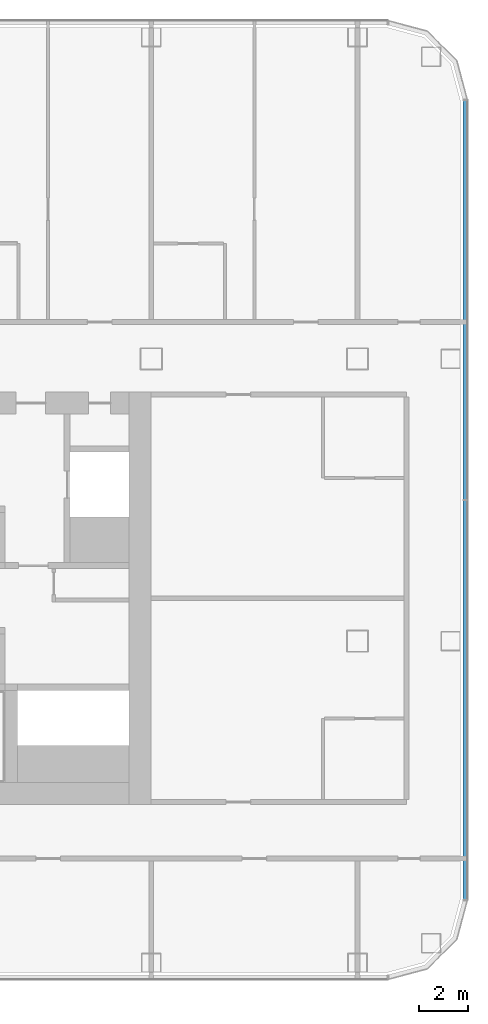
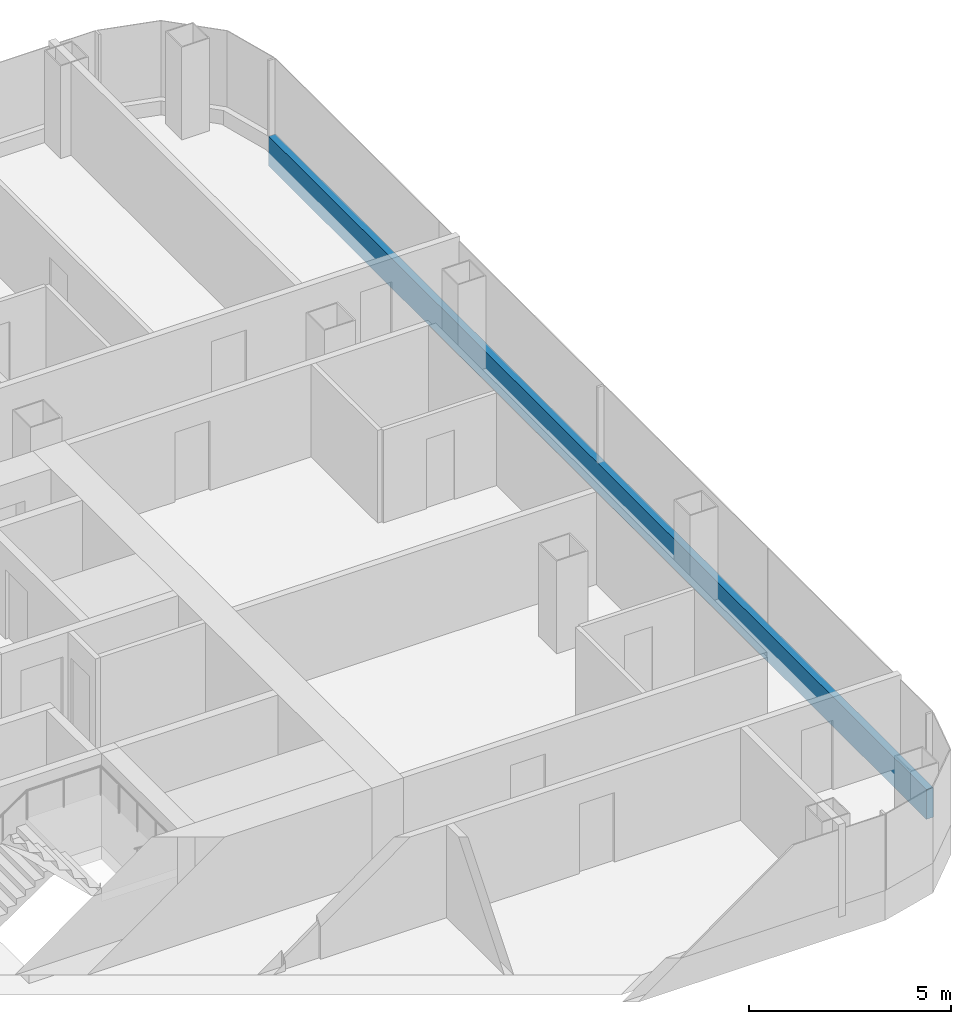
# One storey, part 12 of 29: 1 member, 1 element without a shape of its own.
"""IFC4 building model written with IfcOpenShell, lengths in metres."""

from ifc_helpers import new_model, si_unit, direction, frame, origin, origin_2d, place, context, subcontext, project, spatial, rectangle, extrude, material, layer, layer_set, material_profile, profile_set, type_object, element, aggregate, save


model = new_model("IFC4")

# Units and contexts
model_context = context("Model", 3, precision=1e-05, world=origin(), true_north=direction((0.0, 1.0)))
body_context = subcontext(model_context, "Body", "Model", "MODEL_VIEW")
ifc_project = project(units=[si_unit("LENGTHUNIT", "METRE"), si_unit("AREAUNIT", "SQUARE_METRE"), si_unit("VOLUMEUNIT", "CUBIC_METRE"), si_unit("PLANEANGLEUNIT", "RADIAN"), si_unit("MASSUNIT", "GRAM", prefix="KILO")], contexts=[model_context])

# Site, building, storey
site_placement = place(None, origin())
site = spatial("IfcSite", under=ifc_project, at=site_placement, CompositionType="ELEMENT")
building_placement = place(site_placement, origin())
building = spatial("IfcBuilding", under=site, at=building_placement, Name="Hakoniwa Tower and Hamabe Station Hall", CompositionType="ELEMENT")
storey_placement = place(building_placement, frame((0.0, 0.0, 104.199951171875)))
storey = spatial("IfcBuildingStorey", under=building, at=storey_placement, Name="L29", CompositionType="ELEMENT", Elevation=104.199951171875)

# Curtain wall, member
ifc_material_1 = material(Name="Dark low-e laminated glass", Category="glass")
ifc_layer = layer(ifc_material_1, 0.199951171875)
ifc_layer_set = layer_set([ifc_layer], Name="CW-1 UNITISED GUEST")
curtain_wall_type = type_object("IfcCurtainWallType", Name="CW-1 UNITISED GUEST", PredefinedType="NOTDEFINED", material=ifc_layer_set)
curtain_wall_placement = place(storey_placement, origin())
curtain_wall = element("IfcCurtainWall", 1, at=curtain_wall_placement, inside=storey, type_object=curtain_wall_type, Name="CW-1 curtain wall", PredefinedType="NOTDEFINED")
ifc_material_2 = material(Name="Aluminium 6063-T5 black anodised", Category="aluminium")
ifc_material_profile = material_profile(ifc_material_2, rectangle(XDim=0.199951171875, YDim=0.89990234375, at=origin_2d()), Name="CW SLAB-EDGE BAND 900X200")
ifc_profile_set = profile_set([ifc_material_profile], Name="Aluminium 6063-T5 black anodised")
member_type = type_object("IfcMemberType", Name="CW SLAB-EDGE BAND 900X200", PredefinedType="USERDEFINED", material=ifc_profile_set)
member_placement = place(storey_placement, frame((46.39990234375, -12.28955078125, -0.099853515625), z_axis=(0.0, 1.0, 0.0), x_axis=(-1.0, 0.0, 0.0)))
member = element("IfcMember", 2, at=member_placement, type_object=member_type, Name="CW-1 transom", ObjectType="TRANSOM", PredefinedType="USERDEFINED", context=body_context, shape_type="SweptSolid", body=[
    extrude(rectangle(XDim=0.199951171875, YDim=0.89990234375, at=origin_2d()), origin(), (0.0, 0.0, 1.0), 32.5791015625),
])
aggregate(curtain_wall, [member])

save(model, "model.ifc")
